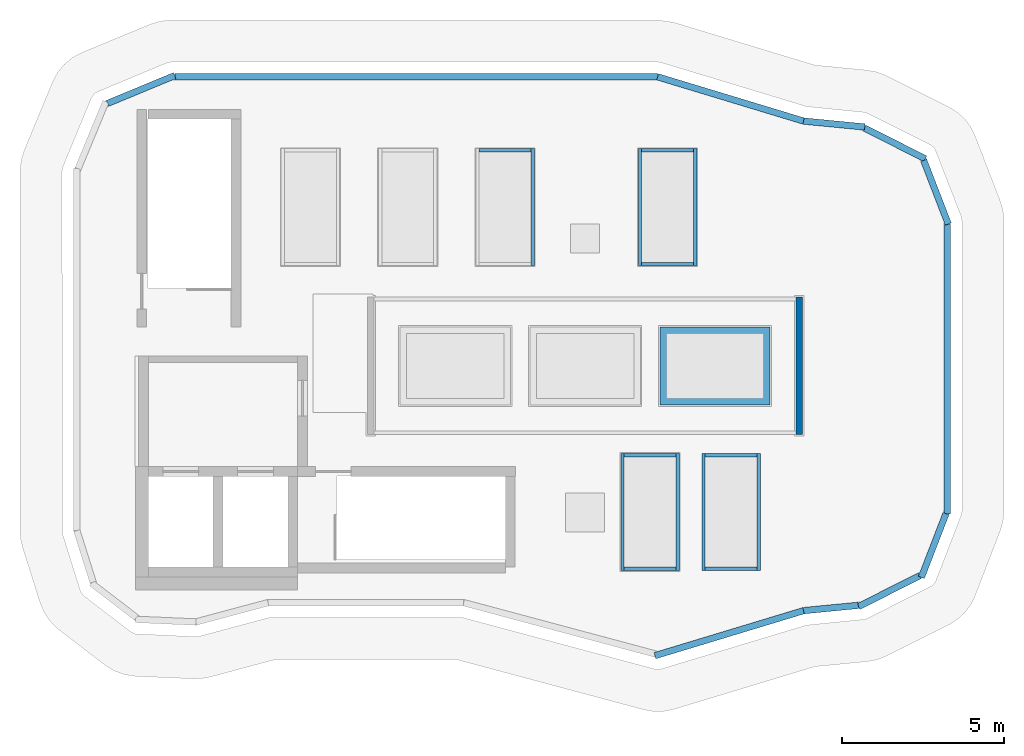
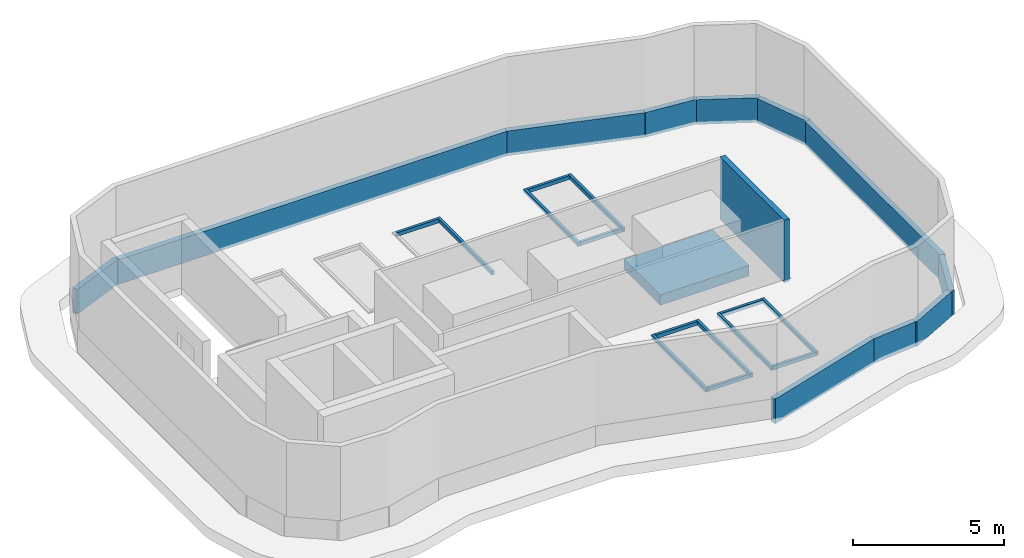
# One storey, part 2 of 4: 27 walls.
"""IFC4 building model written with IfcOpenShell, lengths in metres."""

from ifc_helpers import new_model, si_unit, direction, frame, frame_2d, origin, place, context, subcontext, project, spatial, rectangle, extrude, material, layer, layer_set, type_object, element, save


model = new_model("IFC4")

# Units and contexts
model_context = context("Model", 3, precision=1e-05, world=origin(), true_north=direction((0.0, 1.0)))
body_context = subcontext(model_context, "Body", "Model", "MODEL_VIEW")
ifc_project = project(units=[si_unit("LENGTHUNIT", "METRE"), si_unit("AREAUNIT", "SQUARE_METRE"), si_unit("VOLUMEUNIT", "CUBIC_METRE"), si_unit("PLANEANGLEUNIT", "RADIAN"), si_unit("MASSUNIT", "GRAM", prefix="KILO")], contexts=[model_context])

# Site, building, storey
site_placement = place(None, origin())
site = spatial("IfcSite", under=ifc_project, at=site_placement, CompositionType="ELEMENT")
building_placement = place(site_placement, origin())
building = spatial("IfcBuilding", under=site, at=building_placement, Name="Plateau Cross Towers", CompositionType="ELEMENT")
storey_placement = place(building_placement, frame((0.0, 0.0, 312.39990234375)))
storey = spatial("IfcBuildingStorey", under=building, at=storey_placement, Name="Roof", CompositionType="ELEMENT", Elevation=312.39990234375)

# Walls
ifc_material_1 = material(Name="Concrete C30/37", Category="concrete")
ifc_layer_1 = layer(ifc_material_1, 0.199951171875)
ifc_layer_set_1 = layer_set([ifc_layer_1], Name="Concrete C30/37")
wall_type_1 = type_object("IfcWallType", Name="Parapet wall 200", PredefinedType="PARAPET", material=ifc_layer_set_1)
wall_1_placement = place(storey_placement, frame((1.047607421875, 17.0830078125, 0.0), z_axis=(0.0, 0.0, 1.0), x_axis=(0.923879690752, 0.382683050338, 0.0)))
element("IfcWall", 1, at=wall_1_placement, inside=storey, type_object=wall_type_1, Name="Parapet 6", PredefinedType="PARAPET", context=body_context, shape_type="SweptSolid", body=[
    extrude(rectangle(XDim=2.23486328125, YDim=0.199951171875, at=frame_2d((1.117431640625, 0.0))), origin(), (0.0, 0.0, 1.0), 1.0),
])
wall_2_placement = place(storey_placement, frame((3.119873046875, 17.89990234375, 0.0), z_axis=(0.0, 0.0, 1.0), x_axis=(1.0, 0.0, 0.0)))
element("IfcWall", 2, at=wall_2_placement, inside=storey, type_object=wall_type_1, Name="Parapet 7", PredefinedType="PARAPET", context=body_context, shape_type="SweptSolid", body=[
    extrude(rectangle(XDim=14.865234375, YDim=0.199951171875, at=frame_2d((7.4326171875, 0.0))), origin(), (0.0, 0.0, 1.0), 1.0),
])
wall_3_placement = place(storey_placement, frame((17.985107421875, 17.89990234375, 0.0), z_axis=(0.0, 0.0, 1.0), x_axis=(0.957048881268, -0.289926609445, 0.0)))
element("IfcWall", 3, at=wall_3_placement, inside=storey, type_object=wall_type_1, Name="Parapet 8", PredefinedType="PARAPET", context=body_context, shape_type="SweptSolid", body=[
    extrude(rectangle(XDim=4.697021484375, YDim=0.199951171875, at=frame_2d((2.3486328125, 0.0))), origin(), (0.0, 0.0, 1.0), 1.0),
])
wall_4_placement = place(storey_placement, frame((22.48046875, 16.5380859375, 0.0), z_axis=(0.0, 0.0, 1.0), x_axis=(0.995330811623, -0.096522408968, 0.0)))
element("IfcWall", 4, at=wall_4_placement, inside=storey, type_object=wall_type_1, Name="Parapet 9", PredefinedType="PARAPET", context=body_context, shape_type="SweptSolid", body=[
    extrude(rectangle(XDim=1.889404296875, YDim=0.199951171875, at=frame_2d((0.94482421875, 0.0))), origin(), (0.0, 0.0, 1.0), 1.0),
])
for number, where, z_axis, x_axis, name in (
    (5, (24.35107421875, 16.320556640625, 0.0), (0.0, 0.0, 1.0), (0.89368334902, -0.448698196658, 0.0), "Parapet 10"),
    (6, (26.177978515625, 15.327880859375, 0.0), (0.0, 0.0, 1.0), (0.360300605056, -0.93283625251, 0.0), "Parapet 11"),
):
    element("IfcWall", number, at=place(storey_placement, frame(where, z_axis=z_axis, x_axis=x_axis)), inside=storey, type_object=wall_type_1, Name=name, PredefinedType="PARAPET", context=body_context, shape_type="SweptSolid", body=[
        extrude(rectangle(XDim=2.10400390625, YDim=0.199951171875, at=frame_2d((1.052001953125, 0.0))), origin(), (0.0, 0.0, 1.0), 1.0),
    ])
wall_5_placement = place(storey_placement, frame((26.89990234375, 13.3583984375, 0.0), z_axis=(0.0, 0.0, 1.0), x_axis=(0.0, -1.0, 0.0)))
element("IfcWall", 7, at=wall_5_placement, inside=storey, type_object=wall_type_1, Name="Parapet 12", PredefinedType="PARAPET", context=body_context, shape_type="SweptSolid", body=[
    extrude(rectangle(XDim=8.916748046875, YDim=0.199951171875, at=frame_2d((4.45849609375, 0.0))), origin(), (0.0, 0.0, 1.0), 1.0),
])
for number, where, z_axis, x_axis, name in (
    (8, (26.864013671875, 4.4482421875, 0.0), (0.0, 0.0, 1.0), (-0.360261608137, -0.932851313824, 0.0), "Parapet 13"),
    (9, (26.052734375, 2.533935546875, 0.0), (0.0, 0.0, 1.0), (-0.893706706245, -0.448651672472, 0.0), "Parapet 14"),
):
    element("IfcWall", number, at=place(storey_placement, frame(where, z_axis=z_axis, x_axis=x_axis)), inside=storey, type_object=wall_type_1, Name=name, PredefinedType="PARAPET", context=body_context, shape_type="SweptSolid", body=[
        extrude(rectangle(XDim=2.104248046875, YDim=0.199951171875, at=frame_2d((1.05224609375, 0.0))), origin(), (0.0, 0.0, 1.0), 1.0),
    ])
wall_6_placement = place(storey_placement, frame((24.162109375, 1.625, 0.0), z_axis=(0.0, 0.0, 1.0), x_axis=(-0.995330328614, -0.096527389593, 0.0)))
element("IfcWall", 10, at=wall_6_placement, inside=storey, type_object=wall_type_1, Name="Parapet 15", PredefinedType="PARAPET", context=body_context, shape_type="SweptSolid", body=[
    extrude(rectangle(XDim=1.689453125, YDim=0.199951171875, at=frame_2d((0.8447265625, 0.0))), origin(), (0.0, 0.0, 1.0), 1.0),
])
wall_7_placement = place(storey_placement, frame((22.48046875, 1.4619140625, 0.0), z_axis=(0.0, 0.0, 1.0), x_axis=(-0.957040285747, -0.289954981778, 0.0)))
element("IfcWall", 11, at=wall_7_placement, inside=storey, type_object=wall_type_1, Name="Parapet 16", PredefinedType="PARAPET", context=body_context, shape_type="SweptSolid", body=[
    extrude(rectangle(XDim=4.783447265625, YDim=0.199951171875, at=frame_2d((2.3916015625, 0.0))), origin(), (0.0, 0.0, 1.0), 1.0),
])
ifc_material_2 = material(Name="Precast concrete C40/50", Category="concrete")
ifc_layer_2 = layer(ifc_material_2, 0.199951171875)
ifc_layer_set_2 = layer_set([ifc_layer_2], Name="Precast concrete C40/50")
wall_type_2 = type_object("IfcWallType", Name="Plant enclosure wall 200", PredefinedType="STANDARD", material=ifc_layer_set_2)
wall_8_placement = place(storey_placement, frame((22.35009765625, 6.8798828125, 0.0), z_axis=(0.0, 0.0, 1.0), x_axis=(0.0, 1.0, 0.0)))
element("IfcWall", 12, at=wall_8_placement, inside=storey, type_object=wall_type_2, Name="Plant enclosure wall east", PredefinedType="STANDARD", context=body_context, shape_type="SweptSolid", body=[
    extrude(rectangle(XDim=4.240234375, YDim=0.199951171875, at=frame_2d((2.1201171875, 0.0))), origin(), (0.0, 0.0, 1.0), 2.52001953125),
])
ifc_layer_3 = layer(ifc_material_1, 2.0)
ifc_layer_set_3 = layer_set([ifc_layer_3], Name="Concrete C30/37")
wall_type_3 = type_object("IfcWallType", Name="Plant plinth 300", PredefinedType="STANDARD", material=ifc_layer_set_3)
wall_9_placement = place(storey_placement, frame((18.050048828125, 9.0, 0.0), z_axis=(0.0, 0.0, 1.0), x_axis=(1.0, 0.0, 0.0)))
element("IfcWall", 13, at=wall_9_placement, inside=storey, type_object=wall_type_3, Name="Plant plinth 3", PredefinedType="STANDARD", context=body_context, shape_type="SweptSolid", body=[
    extrude(rectangle(XDim=3.39990234375, YDim=2.39990234375, at=frame_2d((1.699951171875, 0.0))), origin(), (0.0, 0.0, 1.0), 0.420166015625),
])
ifc_layer_4 = layer(ifc_material_1, 0.10009765625)
ifc_layer_set_4 = layer_set([ifc_layer_4], Name="Concrete C30/37")
wall_type_4 = type_object("IfcWallType", Name="Rooflight kerb 100", PredefinedType="STANDARD", material=ifc_layer_set_4)
for number, where, z_axis, x_axis, name in (
    (14, (16.89990234375, 2.699951171875, 0.0), (0.0, 0.0, 1.0), (0.0, 1.0, 0.0), "Rooflight RL2 1 kerb"),
    (15, (18.60009765625, 2.699951171875, 0.0), (0.0, 0.0, 1.0), (0.0, 1.0, 0.0), "Rooflight RL2 1 kerb"),
):
    element("IfcWall", number, at=place(storey_placement, frame(where, z_axis=z_axis, x_axis=x_axis)), inside=storey, type_object=wall_type_4, Name=name, PredefinedType="STANDARD", context=body_context, shape_type="SweptSolid", body=[
        extrude(rectangle(XDim=3.60009765625, YDim=0.10009765625, at=frame_2d((1.800048828125, 0.0))), origin(), (0.0, 0.0, 1.0), 0.150146484375),
    ])
for number, where, z_axis, x_axis, name in (
    (16, (16.949951171875, 2.75, 0.0), (0.0, 0.0, 1.0), (1.0, 0.0, 0.0), "Rooflight RL2 1 kerb"),
    (17, (16.949951171875, 6.25, 0.0), (0.0, 0.0, 1.0), (1.0, 0.0, 0.0), "Rooflight RL2 1 kerb"),
):
    element("IfcWall", number, at=place(storey_placement, frame(where, z_axis=z_axis, x_axis=x_axis)), inside=storey, type_object=wall_type_4, Name=name, PredefinedType="STANDARD", context=body_context, shape_type="SweptSolid", body=[
        extrude(rectangle(XDim=1.60009765625, YDim=0.10009765625, at=frame_2d((0.800048828125, 0.0))), origin(), (0.0, 0.0, 1.0), 0.150146484375),
    ])
for number, where, z_axis, x_axis, name in (
    (18, (19.39990234375, 2.699951171875, 0.0), (0.0, 0.0, 1.0), (0.0, 1.0, 0.0), "Rooflight RL2 2 kerb"),
    (19, (21.10009765625, 2.699951171875, 0.0), (0.0, 0.0, 1.0), (0.0, 1.0, 0.0), "Rooflight RL2 2 kerb"),
):
    element("IfcWall", number, at=place(storey_placement, frame(where, z_axis=z_axis, x_axis=x_axis)), inside=storey, type_object=wall_type_4, Name=name, PredefinedType="STANDARD", context=body_context, shape_type="SweptSolid", body=[
        extrude(rectangle(XDim=3.60009765625, YDim=0.10009765625, at=frame_2d((1.800048828125, 0.0))), origin(), (0.0, 0.0, 1.0), 0.150146484375),
    ])
for number, where, z_axis, x_axis, name in (
    (20, (19.449951171875, 2.75, 0.0), (0.0, 0.0, 1.0), (1.0, 0.0, 0.0), "Rooflight RL2 2 kerb"),
    (21, (19.449951171875, 6.25, 0.0), (0.0, 0.0, 1.0), (1.0, 0.0, 0.0), "Rooflight RL2 2 kerb"),
):
    element("IfcWall", number, at=place(storey_placement, frame(where, z_axis=z_axis, x_axis=x_axis)), inside=storey, type_object=wall_type_4, Name=name, PredefinedType="STANDARD", context=body_context, shape_type="SweptSolid", body=[
        extrude(rectangle(XDim=1.60009765625, YDim=0.10009765625, at=frame_2d((0.800048828125, 0.0))), origin(), (0.0, 0.0, 1.0), 0.150146484375),
    ])
wall_10_placement = place(storey_placement, frame((14.139892578125, 12.090087890625, 0.0), z_axis=(0.0, 0.0, 1.0), x_axis=(0.0, 1.0, 0.0)))
element("IfcWall", 22, at=wall_10_placement, inside=storey, type_object=wall_type_4, Name="Rooflight RL2 5 kerb", PredefinedType="STANDARD", context=body_context, shape_type="SweptSolid", body=[
    extrude(rectangle(XDim=3.599853515625, YDim=0.10009765625, at=frame_2d((1.7998046875, 0.0))), origin(), (0.0, 0.0, 1.0), 0.150146484375),
])
wall_11_placement = place(storey_placement, frame((12.489990234375, 15.639892578125, 0.0), z_axis=(0.0, 0.0, 1.0), x_axis=(1.0, 0.0, 0.0)))
element("IfcWall", 23, at=wall_11_placement, inside=storey, type_object=wall_type_4, Name="Rooflight RL2 5 kerb", PredefinedType="STANDARD", context=body_context, shape_type="SweptSolid", body=[
    extrude(rectangle(XDim=1.60009765625, YDim=0.10009765625, at=frame_2d((0.800048828125, 0.0))), origin(), (0.0, 0.0, 1.0), 0.150146484375),
])
for number, where, z_axis, x_axis, name in (
    (24, (17.43994140625, 12.090087890625, 0.0), (0.0, 0.0, 1.0), (0.0, 1.0, 0.0), "Rooflight RL2 6 kerb"),
    (25, (19.139892578125, 12.090087890625, 0.0), (0.0, 0.0, 1.0), (0.0, 1.0, 0.0), "Rooflight RL2 6 kerb"),
):
    element("IfcWall", number, at=place(storey_placement, frame(where, z_axis=z_axis, x_axis=x_axis)), inside=storey, type_object=wall_type_4, Name=name, PredefinedType="STANDARD", context=body_context, shape_type="SweptSolid", body=[
        extrude(rectangle(XDim=3.599853515625, YDim=0.10009765625, at=frame_2d((1.7998046875, 0.0))), origin(), (0.0, 0.0, 1.0), 0.150146484375),
    ])
for number, where, z_axis, x_axis, name in (
    (26, (17.489990234375, 12.139892578125, 0.0), (0.0, 0.0, 1.0), (1.0, 0.0, 0.0), "Rooflight RL2 6 kerb"),
    (27, (17.489990234375, 15.639892578125, 0.0), (0.0, 0.0, 1.0), (1.0, 0.0, 0.0), "Rooflight RL2 6 kerb"),
):
    element("IfcWall", number, at=place(storey_placement, frame(where, z_axis=z_axis, x_axis=x_axis)), inside=storey, type_object=wall_type_4, Name=name, PredefinedType="STANDARD", context=body_context, shape_type="SweptSolid", body=[
        extrude(rectangle(XDim=1.60009765625, YDim=0.10009765625, at=frame_2d((0.800048828125, 0.0))), origin(), (0.0, 0.0, 1.0), 0.150146484375),
    ])

save(model, "model.ifc")
